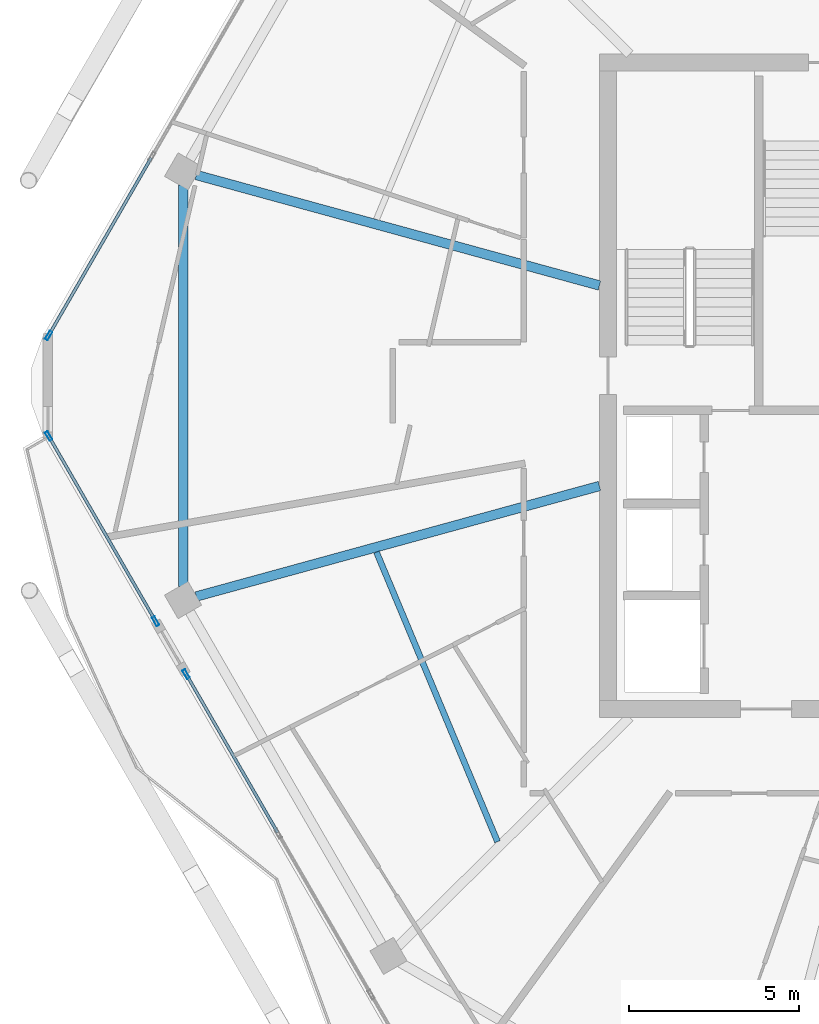
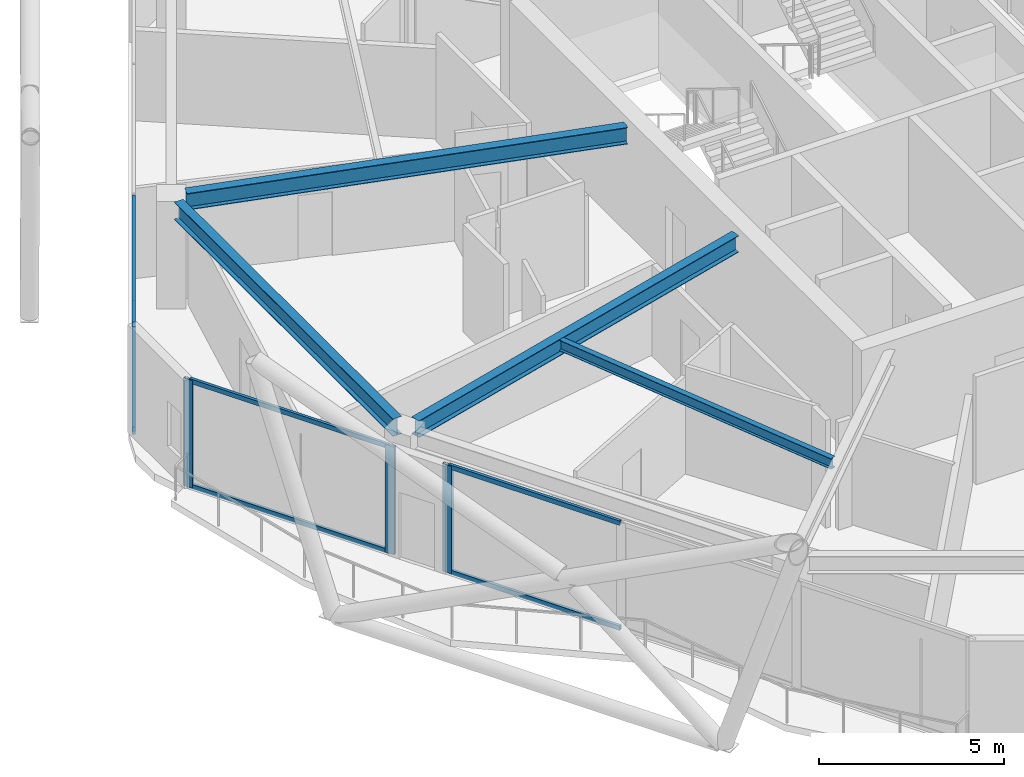
# One storey, part 6 of 24: 10 members, 4 beams, 3 elements without a shape of their own.
"""IFC4 building model written with IfcOpenShell, lengths in metres."""

from ifc_helpers import new_model, si_unit, direction, frame, origin, origin_2d, place, context, subcontext, project, spatial, hollow_rectangle, i_section, extrude, material, material_profile, profile_set, type_object, element, aggregate, save


model = new_model("IFC4")

# Units and contexts
model_context = context("Model", 3, precision=1e-05, world=origin(), true_north=direction((0.0, 1.0)))
body_context = subcontext(model_context, "Body", "Model", "MODEL_VIEW")
ifc_project = project(units=[si_unit("LENGTHUNIT", "METRE"), si_unit("AREAUNIT", "SQUARE_METRE"), si_unit("VOLUMEUNIT", "CUBIC_METRE"), si_unit("PLANEANGLEUNIT", "RADIAN"), si_unit("MASSUNIT", "GRAM", prefix="KILO")], contexts=[model_context])

# Site, building, storey
site_placement = place(None, origin())
site = spatial("IfcSite", under=ifc_project, at=site_placement, CompositionType="ELEMENT")
building_placement = place(site_placement, origin())
building = spatial("IfcBuilding", under=site, at=building_placement, Name="Zuhravey Tower", CompositionType="ELEMENT")
storey_placement = place(building_placement, frame((0.0, 0.0, 308.199951171875)))
storey = spatial("IfcBuildingStorey", under=building, at=storey_placement, Name="L78", CompositionType="ELEMENT", Elevation=308.199951171875)

# Curtain wall, member
ifc_material_1 = material(Name="Thermally broken anodised aluminium", Category="aluminium")
curtain_wall_type = type_object("IfcCurtainWallType", Name="Zone 3-4 High-Rise Curtain Wall CW4", PredefinedType="NOTDEFINED", material=ifc_material_1)
curtain_wall_1_placement = place(storey_placement, origin())
curtain_wall_1 = element("IfcCurtainWall", 1, at=curtain_wall_1_placement, inside=storey, type_object=curtain_wall_type, Name="L78 CW4 CW-L78-F4-1", PredefinedType="NOTDEFINED")
ifc_material_2 = material(Name="Anodised aluminium", Category="aluminium")
ifc_material_profile_1 = material_profile(ifc_material_2, hollow_rectangle(XDim=0.090087890625, YDim=0.284912109375, WallThickness=0.0048828125, at=origin_2d()), Name="ALU-RHS-90x285x5")
ifc_profile_set_1 = profile_set([ifc_material_profile_1], Name="Anodised aluminium")
member_type_1 = type_object("IfcMemberType", Name="Curtain-Wall Mullion 90x180", PredefinedType="MULLION", material=ifc_profile_set_1)
member_1_placement = place(storey_placement, frame((13.095458984375, 23.52392578125, 0.0), z_axis=(0.0, 0.0, 1.0), x_axis=(-0.866026127729, -0.49999874609, 0.0)))
member_1 = element("IfcMember", 2, at=member_1_placement, type_object=member_type_1, Name="CW4 mullion 4", PredefinedType="MULLION", context=body_context, shape_type="SweptSolid", body=[
    extrude(hollow_rectangle(XDim=0.090087890625, YDim=0.284912109375, WallThickness=0.0048828125, at=origin_2d()), origin(), (0.0, 0.0, 1.0), 3.550048828125),
])

# Curtain wall, members
curtain_wall_2_placement = place(storey_placement, origin())
curtain_wall_2 = element("IfcCurtainWall", 3, at=curtain_wall_2_placement, inside=storey, type_object=curtain_wall_type, Name="L78 CW4 CW-L78-F4-2", PredefinedType="NOTDEFINED")
member_2_placement = place(storey_placement, frame((12.200439453125, 25.073974609375, 0.0), z_axis=(0.0, 0.0, 1.0), x_axis=(-0.866021731929, -0.500006359787, 0.0)))
member_2 = element("IfcMember", 4, at=member_2_placement, type_object=member_type_1, Name="CW4 mullion 1", PredefinedType="MULLION", context=body_context, shape_type="SweptSolid", body=[
    extrude(hollow_rectangle(XDim=0.090087890625, YDim=0.284912109375, WallThickness=0.0048828125, at=origin_2d()), origin(), (0.0, 0.0, 1.0), 3.550048828125),
])
member_3_placement = place(storey_placement, frame((9.05419921875, 30.5234375, 0.0), z_axis=(0.0, 0.0, 1.0), x_axis=(-0.866021731929, -0.500006359787, 0.0)))
member_3 = element("IfcMember", 5, at=member_3_placement, type_object=member_type_1, Name="CW4 mullion 2", PredefinedType="MULLION", context=body_context, shape_type="SweptSolid", body=[
    extrude(hollow_rectangle(XDim=0.090087890625, YDim=0.284912109375, WallThickness=0.0048828125, at=origin_2d()), origin(), (0.0, 0.0, 1.0), 3.550048828125),
])

# Curtain wall, member
curtain_wall_3_placement = place(storey_placement, origin())
curtain_wall_3 = element("IfcCurtainWall", 6, at=curtain_wall_3_placement, inside=storey, type_object=curtain_wall_type, Name="L78 CW4 CW-L78-F3-1", PredefinedType="NOTDEFINED")
member_4_placement = place(storey_placement, frame((9.05419921875, 33.4765625, 0.0), z_axis=(0.0, 0.0, 1.0), x_axis=(-0.866025511541, 0.49999981336, 0.0)))
member_4 = element("IfcMember", 7, at=member_4_placement, type_object=member_type_1, Name="CW4 mullion 1", PredefinedType="MULLION", context=body_context, shape_type="SweptSolid", body=[
    extrude(hollow_rectangle(XDim=0.090087890625, YDim=0.284912109375, WallThickness=0.0048828125, at=origin_2d()), origin(), (0.0, 0.0, 1.0), 3.550048828125),
])

# Member
ifc_material_profile_2 = material_profile(ifc_material_2, hollow_rectangle(XDim=0.090087890625, YDim=0.14990234375, WallThickness=0.0048828125, at=origin_2d()), Name="ALU-RHS-90x150x5")
ifc_profile_set_2 = profile_set([ifc_material_profile_2], Name="Anodised aluminium")
member_type_2 = type_object("IfcMemberType", Name="Curtain-Wall Transom 90x150", PredefinedType="USERDEFINED", material=ifc_profile_set_2)
member_5_placement = place(storey_placement, frame((15.782958984375, 18.86865234375, 0.045166015625), z_axis=(-0.499981487958, 0.866036091453, 0.0), x_axis=(-0.866036091453, -0.499981487958, 0.0)))
member_5 = element("IfcMember", 8, at=member_5_placement, type_object=member_type_2, Name="CW4 transom 3.1", ObjectType="TRANSOM", PredefinedType="USERDEFINED", context=body_context, shape_type="SweptSolid", body=[
    extrude(hollow_rectangle(XDim=0.090087890625, YDim=0.14990234375, WallThickness=0.0048828125, at=origin_2d()), origin(), (0.0, 0.0, 1.0), 5.330322265625),
])

member_6_placement = place(storey_placement, frame((15.782958984375, 18.86865234375, 3.505126953125), z_axis=(-0.499981487958, 0.866036091453, 0.0), x_axis=(-0.866036091453, -0.499981487958, 0.0)))
member_6 = element("IfcMember", 9, at=member_6_placement, type_object=member_type_2, Name="CW4 transom 3.2", ObjectType="TRANSOM", PredefinedType="USERDEFINED", context=body_context, shape_type="SweptSolid", body=[
    extrude(hollow_rectangle(XDim=0.090087890625, YDim=0.14990234375, WallThickness=0.0048828125, at=origin_2d()), origin(), (0.0, 0.0, 1.0), 5.330322265625),
])

aggregate(curtain_wall_1, [member_1, member_5, member_6])

member_7_placement = place(storey_placement, frame((12.177978515625, 25.113037109375, 0.045166015625), z_axis=(-0.500004114527, 0.866023028248, 0.0), x_axis=(-0.866023028248, -0.500004114527, 0.0)))
member_7 = element("IfcMember", 10, at=member_7_placement, type_object=member_type_2, Name="CW4 transom 1.1", ObjectType="TRANSOM", PredefinedType="USERDEFINED", context=body_context, shape_type="SweptSolid", body=[
    extrude(hollow_rectangle(XDim=0.090087890625, YDim=0.14990234375, WallThickness=0.0048828125, at=origin_2d()), origin(), (0.0, 0.0, 1.0), 6.20263671875),
])

member_8_placement = place(storey_placement, frame((12.177978515625, 25.113037109375, 3.505126953125), z_axis=(-0.500004114527, 0.866023028248, 0.0), x_axis=(-0.866023028248, -0.500004114527, 0.0)))
member_8 = element("IfcMember", 11, at=member_8_placement, type_object=member_type_2, Name="CW4 transom 1.2", ObjectType="TRANSOM", PredefinedType="USERDEFINED", context=body_context, shape_type="SweptSolid", body=[
    extrude(hollow_rectangle(XDim=0.090087890625, YDim=0.14990234375, WallThickness=0.0048828125, at=origin_2d()), origin(), (0.0, 0.0, 1.0), 6.20263671875),
])

aggregate(curtain_wall_2, [member_2, member_3, member_7, member_8])

member_9_placement = place(storey_placement, frame((9.07666015625, 33.515380859375, 0.045166015625), z_axis=(0.499982594807, 0.866035452444, 0.0), x_axis=(-0.866035452444, 0.499982594807, 0.0)))
member_9 = element("IfcMember", 12, at=member_9_placement, type_object=member_type_2, Name="CW4 transom 1.1", ObjectType="TRANSOM", PredefinedType="USERDEFINED", context=body_context, shape_type="SweptSolid", body=[
    extrude(hollow_rectangle(XDim=0.090087890625, YDim=0.14990234375, WallThickness=0.0048828125, at=origin_2d()), origin(), (0.0, 0.0, 1.0), 5.984619140625),
])

member_10_placement = place(storey_placement, frame((9.07666015625, 33.515380859375, 3.505126953125), z_axis=(0.499982594807, 0.866035452444, 0.0), x_axis=(-0.866035452444, 0.499982594807, 0.0)))
member_10 = element("IfcMember", 13, at=member_10_placement, type_object=member_type_2, Name="CW4 transom 1.2", ObjectType="TRANSOM", PredefinedType="USERDEFINED", context=body_context, shape_type="SweptSolid", body=[
    extrude(hollow_rectangle(XDim=0.090087890625, YDim=0.14990234375, WallThickness=0.0048828125, at=origin_2d()), origin(), (0.0, 0.0, 1.0), 5.984619140625),
])

aggregate(curtain_wall_3, [member_4, member_9, member_10])

# Beams
ifc_material_3 = material(Name="Steel SM355", Category="steel")
ifc_material_profile_3 = material_profile(ifc_material_3, i_section(OverallWidth=0.280029296875, OverallDepth=0.580078125, WebThickness=0.011962890625, FlangeThickness=0.01904296875, at=origin_2d()), Name="H-580x280x12x19")
ifc_profile_set_3 = profile_set([ifc_material_profile_3], Name="Steel SM355")
beam_type_1 = type_object("IfcBeamType", Name="Perimeter Ring Beam H580x280", PredefinedType="BEAM", material=ifc_profile_set_3)
beam_1_placement = place(storey_placement, frame((13.006591796875, 37.8994140625, 3.260009765625), z_axis=(0.0, -1.0, 0.0), x_axis=(1.0, 0.0, 0.0)))
element("IfcBeam", 14, at=beam_1_placement, inside=storey, type_object=beam_type_1, Name="L78 PB4 BM-L78-PB-06", PredefinedType="BEAM", context=body_context, shape_type="SweptSolid", body=[
    extrude(i_section(OverallWidth=0.280029296875, OverallDepth=0.580078125, WebThickness=0.011962890625, FlangeThickness=0.01904296875, at=origin_2d()), origin(), (0.0, 0.0, 1.0), 11.798828125),
])
ifc_material_profile_4 = material_profile(ifc_material_3, i_section(OverallWidth=0.280029296875, OverallDepth=0.550048828125, WebThickness=0.010986328125, FlangeThickness=0.01806640625, at=origin_2d()), Name="H-550x280x11x18")
ifc_profile_set_4 = profile_set([ifc_material_profile_4], Name="Steel SM355")
beam_type_2 = type_object("IfcBeamType", Name="Radial Primary Girder H550x280", PredefinedType="BEAM", material=ifc_profile_set_4)
for number, where, z_axis, x_axis, name in (
    (15, (25.2470703125, 34.947265625, 3.275146484375), (-0.964427903067, 0.264346022829, 0.0), (-0.264346022829, -0.964427903067, 0.0), "L78 RG4 BM-L78-RAD-06"),
    (16, (25.2470703125, 29.052734375, 3.275146484375), (-0.964427903067, -0.264346022829, 0.0), (0.264346022829, -0.964427903067, 0.0), "L78 RG4 BM-L78-RAD-07"),
):
    element("IfcBeam", number, at=place(storey_placement, frame(where, z_axis=z_axis, x_axis=x_axis)), inside=storey, type_object=beam_type_2, Name=name, PredefinedType="BEAM", context=body_context, shape_type="SweptSolid", body=[
        extrude(i_section(OverallWidth=0.280029296875, OverallDepth=0.550048828125, WebThickness=0.010986328125, FlangeThickness=0.01806640625, at=origin_2d()), origin(), (0.0, 0.0, 1.0), 12.2890625),
    ])
ifc_material_profile_5 = material_profile(ifc_material_3, i_section(OverallWidth=0.175048828125, OverallDepth=0.35009765625, WebThickness=0.007080078125, FlangeThickness=0.010986328125, at=origin_2d()), Name="H-350x175x7x11")
ifc_profile_set_5 = profile_set([ifc_material_profile_5], Name="Steel SM355")
beam_type_3 = type_object("IfcBeamType", Name="Secondary Floor Joist H350x175", PredefinedType="JOIST", material=ifc_profile_set_5)
beam_2_placement = place(storey_placement, frame((18.692626953125, 27.108154296875, 3.375), z_axis=(0.385657891576, -0.922641853953, 0.0), x_axis=(0.922641853953, 0.385657891576, 0.0)))
element("IfcBeam", 17, at=beam_2_placement, inside=storey, type_object=beam_type_3, Name="L78 SJ3 BM-L78-SJ-07-1", PredefinedType="JOIST", context=body_context, shape_type="SweptSolid", body=[
    extrude(i_section(OverallWidth=0.175048828125, OverallDepth=0.35009765625, WebThickness=0.007080078125, FlangeThickness=0.010986328125, at=origin_2d()), origin(), (0.0, 0.0, 1.0), 9.226806640625),
])

save(model, "model.ifc")
